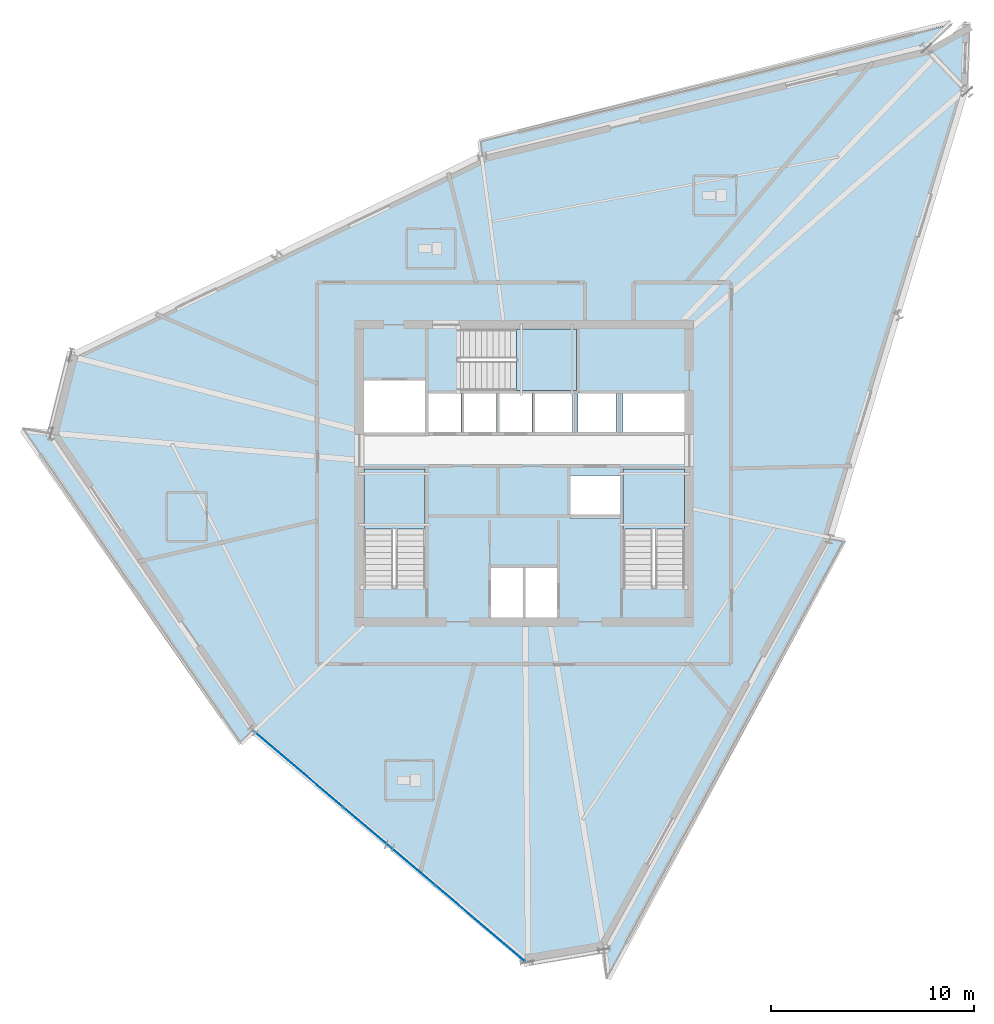
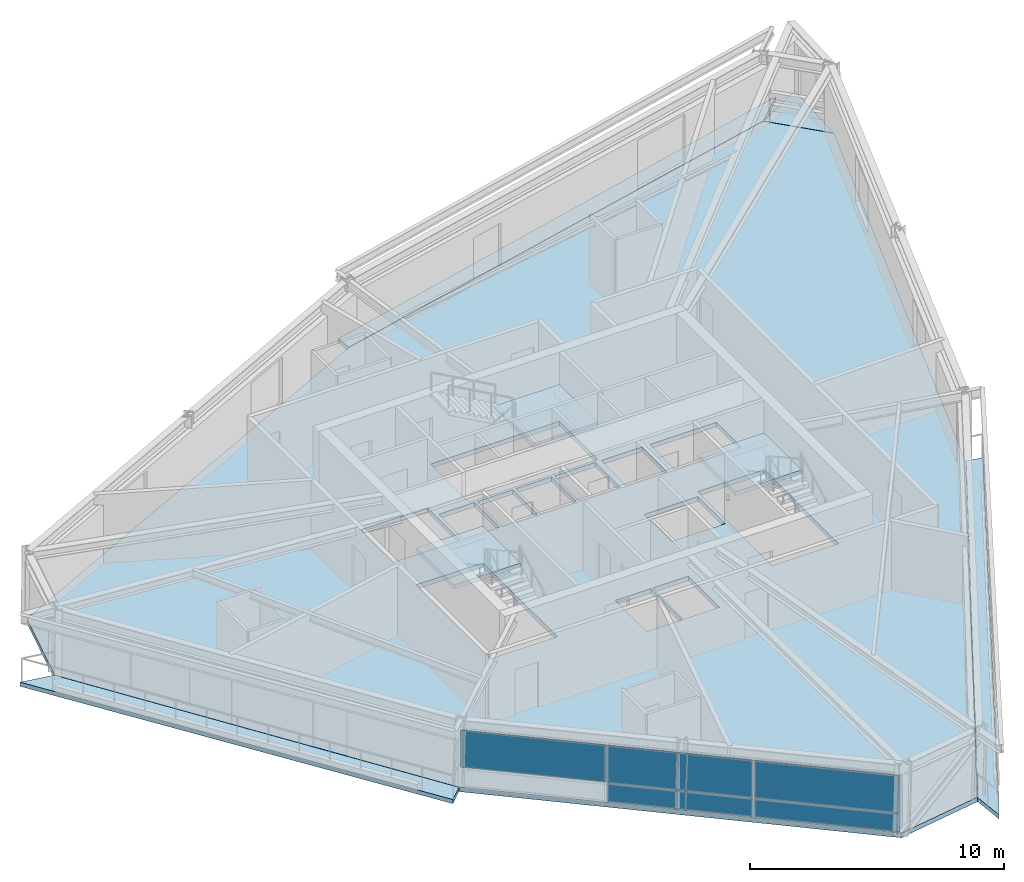
# One storey, part 5 of 15: 8 slabs, 5 plates, 4 elements without a shape of their own.
"""IFC4 building model written with IfcOpenShell, lengths in metres."""

from ifc_helpers import new_model, si_unit, direction, frame, origin, origin_2d, place, context, subcontext, project, spatial, polyline, rectangle, outline, extrude, source, transform, mapped, material, layer, layer_set, type_object, element, aggregate, save


model = new_model("IFC4")

# Units and contexts
model_context = context("Model", 3, precision=1e-05, world=origin(), true_north=direction((0.0, 1.0)))
body_context = subcontext(model_context, "Body", "Model", "MODEL_VIEW")
ifc_project = project(units=[si_unit("LENGTHUNIT", "METRE"), si_unit("AREAUNIT", "SQUARE_METRE"), si_unit("VOLUMEUNIT", "CUBIC_METRE"), si_unit("PLANEANGLEUNIT", "RADIAN"), si_unit("MASSUNIT", "GRAM", prefix="KILO")], contexts=[model_context])

# Site, building, storey
site_placement = place(None, origin())
site = spatial("IfcSite", under=ifc_project, at=site_placement, CompositionType="ELEMENT")
building_placement = place(site_placement, origin())
building = spatial("IfcBuilding", under=site, at=building_placement, Name="Olszyna Solenne Hotel", CompositionType="ELEMENT")
storey_placement = place(building_placement, frame((0.0, 0.0, 213.14990234375)))
storey = spatial("IfcBuildingStorey", under=building, at=storey_placement, Name="L56", CompositionType="ELEMENT", Elevation=213.14990234375)

# Stair, slab
ifc_material_1 = material(Name="Concrete C40/50", Category="concrete")
stair_type = type_object("IfcStairType", Name="STR-C1", PredefinedType="TWO_QUARTER_WINDING_STAIR", material=ifc_material_1)
stair_1_placement = place(storey_placement, origin())
stair_1 = element("IfcStair", 1, at=stair_1_placement, inside=storey, type_object=stair_type, Name="L56 ST1", PredefinedType="TWO_QUARTER_WINDING_STAIR")
ifc_layer_1 = layer(ifc_material_1, 0.18994140625, Name="Concrete C40/50")
ifc_layer_set_1 = layer_set([ifc_layer_1], Name="Concrete C40/50")
slab_type_1 = type_object("IfcSlabType", Name="SL-LN190", PredefinedType="LANDING", material=ifc_layer_set_1)
slab_1_placement = place(storey_placement, frame((0.0, 0.0, 1.5751953125)))
slab_1 = element("IfcSlab", 2, at=slab_1_placement, type_object=slab_type_1, Name="ST1 landing 1", PredefinedType="LANDING", context=body_context, shape_type="SweptSolid", body=[
    extrude(outline(polyline([(33.1201171875, 23.85009765625), (33.1201171875, 26.800048828125), (30.10009765625, 26.800048828125), (30.10009765625, 23.85009765625), (33.1201171875, 23.85009765625)])), origin(), (0.0, 0.0, 1.0), 0.199951171875),
])
aggregate(stair_1, [slab_1])

stair_2_placement = place(storey_placement, origin())
stair_2 = element("IfcStair", 3, at=stair_2_placement, inside=storey, type_object=stair_type, Name="L56 ST2", PredefinedType="TWO_QUARTER_WINDING_STAIR")
slab_2_placement = place(storey_placement, frame((0.0, 0.0, 1.5751953125)))
slab_2 = element("IfcSlab", 4, at=slab_2_placement, type_object=slab_type_1, Name="ST2 landing 1", PredefinedType="LANDING", context=body_context, shape_type="SweptSolid", body=[
    extrude(outline(polyline([(45.89990234375, 23.85009765625), (45.89990234375, 26.800048828125), (42.8798828125, 26.800048828125), (42.8798828125, 23.85009765625), (45.89990234375, 23.85009765625)])), origin(), (0.0, 0.0, 1.0), 0.199951171875),
])
aggregate(stair_2, [slab_2])

stair_3_placement = place(storey_placement, origin())
stair_3 = element("IfcStair", 5, at=stair_3_placement, inside=storey, type_object=stair_type, Name="L56 ST3", PredefinedType="TWO_QUARTER_WINDING_STAIR")
slab_3_placement = place(storey_placement, frame((0.0, 0.0, 1.5751953125)))
slab_3 = element("IfcSlab", 6, at=slab_3_placement, type_object=slab_type_1, Name="ST3 landing 1", PredefinedType="LANDING", context=body_context, shape_type="SweptSolid", body=[
    extrude(outline(polyline([(37.6298828125, 30.679931640625), (40.580078125, 30.679931640625), (40.580078125, 33.699951171875), (37.6298828125, 33.699951171875), (37.6298828125, 30.679931640625)])), origin(), (0.0, 0.0, 1.0), 0.199951171875),
])
aggregate(stair_3, [slab_3])

# Slabs
ifc_material_2 = material(Name="Precast concrete C45/55", Category="concrete")
ifc_layer_2 = layer(ifc_material_2, 0.199951171875, Name="Precast concrete C45/55")
ifc_layer_set_2 = layer_set([ifc_layer_2], Name="Precast concrete C45/55")
slab_type_2 = type_object("IfcSlabType", Name="SL-LOG200", PredefinedType="FLOOR", material=ifc_layer_set_2)
slab_4_placement = place(storey_placement, frame((0.0, 0.0, -0.199951171875)))
element("IfcSlab", 7, at=slab_4_placement, inside=storey, type_object=slab_type_2, Name="Exterior loggia balcony slab SL-L56-LG1", PredefinedType="FLOOR", context=body_context, shape_type="SweptSolid", body=[
    extrude(outline(polyline([(35.94189453125, 42.25), (57.819091796875, 47.53662109375), (57.868408203125, 47.564453125), (59.11376953125, 48.751220703125), (35.87353515625, 42.97802734375), (35.94189453125, 42.25)])), origin(), (0.0, 0.0, 1.0), 0.199951171875),
])
slab_5_placement = place(storey_placement, frame((0.0, 0.0, -0.199951171875)))
element("IfcSlab", 8, at=slab_5_placement, inside=storey, type_object=slab_type_2, Name="Exterior loggia balcony slab SL-L56-LG2", PredefinedType="FLOOR", context=body_context, shape_type="SweptSolid", body=[
    extrude(outline(polyline([(24.603759765625, 13.92919921875), (24.60302734375, 13.93017578125), (24.602294921875, 13.93115234375), (14.661865234375, 28.5498046875), (14.6611328125, 28.55078125), (14.660400390625, 28.552001953125), (14.659912109375, 28.553466796875), (14.65966796875, 28.5546875), (14.6591796875, 28.55615234375), (14.6591796875, 28.5576171875), (14.6591796875, 28.55908203125), (14.659423828125, 28.560302734375), (14.659423828125, 28.560791015625), (13.245361328125, 28.816162109375), (23.969970703125, 13.3251953125), (24.603759765625, 13.92919921875)])), origin(), (0.0, 0.0, 1.0), 0.199951171875),
])
slab_6_placement = place(storey_placement, frame((0.0, 0.0, -0.199951171875)))
element("IfcSlab", 9, at=slab_6_placement, inside=storey, type_object=slab_type_2, Name="Exterior loggia balcony slab SL-L56-LG3", PredefinedType="FLOOR", context=body_context, shape_type="SweptSolid", body=[
    extrude(outline(polyline([(53.078125, 23.34521484375), (53.07763671875, 23.343505859375), (53.0771484375, 23.342041015625), (53.076416015625, 23.3408203125), (41.9365234375, 3.13623046875), (41.935791015625, 3.135009765625), (41.934814453125, 3.1337890625), (41.933837890625, 3.132568359375), (41.9326171875, 3.131591796875), (41.931396484375, 3.130615234375), (41.93017578125, 3.1298828125), (41.9287109375, 3.12939453125), (41.92724609375, 3.12890625), (41.92578125, 3.128662109375), (41.9248046875, 3.12841796875), (42.06298828125, 1.65673828125), (53.777587890625, 23.218994140625), (53.078125, 23.34521484375)])), origin(), (0.0, 0.0, 1.0), 0.199951171875),
])
ifc_material_3 = material(Name="Concrete C50/60", Category="concrete")
ifc_layer_3 = layer(ifc_material_3, 0.219970703125, Name="Concrete C50/60")
ifc_layer_set_3 = layer_set([ifc_layer_3], Name="Concrete C50/60")
slab_type_3 = type_object("IfcSlabType", Name="SL-TW225", PredefinedType="FLOOR", material=ifc_layer_set_3)
slab_7_placement = place(storey_placement, frame((0.0, 0.0, -0.219970703125)))
element("IfcSlab", 10, at=slab_7_placement, inside=storey, type_object=slab_type_3, Name="Floor slab SL-TW225 SL-L56-01", PredefinedType="FLOOR", context=body_context, shape_type="SweptSolid", body=[
    extrude(outline(polyline([(59.82080078125, 45.408203125), (57.824462890625, 47.522705078125), (35.943115234375, 42.23486328125), (15.66259765625, 32.465087890625), (14.67431640625, 28.55810546875), (24.61474609375, 13.939697265625), (38.094482421875, 2.502685546875), (41.92333984375, 3.143310546875), (53.063232421875, 23.347900390625), (59.82080078125, 45.408203125)]), holes=[polyline([(30.10009765625, 20.949951171875), (33.1201171875, 20.949951171875), (33.1201171875, 26.800048828125), (30.10009765625, 26.800048828125), (30.10009765625, 20.949951171875)]), polyline([(42.8798828125, 20.949951171875), (45.89990234375, 20.949951171875), (45.89990234375, 26.800048828125), (42.8798828125, 26.800048828125), (42.8798828125, 20.949951171875)]), polyline([(34.72998046875, 30.679931640625), (40.580078125, 30.679931640625), (40.580078125, 33.699951171875), (34.72998046875, 33.699951171875), (34.72998046875, 30.679931640625)]), polyline([(36.340087890625, 19.5), (37.9599609375, 19.5), (37.9599609375, 21.9599609375), (36.340087890625, 21.9599609375), (36.340087890625, 19.5)]), polyline([(38.0400390625, 19.5), (39.659912109375, 19.5), (39.659912109375, 21.9599609375), (38.0400390625, 21.9599609375), (38.0400390625, 19.5)]), polyline([(30.10009765625, 28.60009765625), (33.1201171875, 28.60009765625), (33.1201171875, 31.159912109375), (30.10009765625, 31.159912109375), (30.10009765625, 28.60009765625)]), polyline([(40.280029296875, 24.360107421875), (42.719970703125, 24.360107421875), (42.719970703125, 26.5), (40.280029296875, 26.5), (40.280029296875, 24.360107421875)]), polyline([(33.280029296875, 28.60009765625), (34.89990234375, 28.60009765625), (34.89990234375, 30.550048828125), (33.280029296875, 30.550048828125), (33.280029296875, 28.60009765625)]), polyline([(35.030029296875, 28.60009765625), (36.64990234375, 28.60009765625), (36.64990234375, 30.550048828125), (35.030029296875, 30.550048828125), (35.030029296875, 28.60009765625)]), polyline([(36.780029296875, 28.60009765625), (38.39990234375, 28.60009765625), (38.39990234375, 30.550048828125), (36.780029296875, 30.550048828125), (36.780029296875, 28.60009765625)]), polyline([(38.530029296875, 28.60009765625), (40.389892578125, 28.60009765625), (40.389892578125, 30.550048828125), (38.530029296875, 30.550048828125), (38.530029296875, 28.60009765625)]), polyline([(40.659912109375, 28.60009765625), (42.52001953125, 28.60009765625), (42.52001953125, 30.550048828125), (40.659912109375, 30.550048828125), (40.659912109375, 28.60009765625)]), polyline([(42.8798828125, 28.60009765625), (45.89990234375, 28.60009765625), (45.89990234375, 30.550048828125), (42.8798828125, 30.550048828125), (42.8798828125, 28.60009765625)])]), origin(), (0.0, 0.0, 1.0), 0.219970703125),
])
slab_8_placement = place(storey_placement, frame((0.0, 0.0, -0.219970703125)))
element("IfcSlab", 11, at=slab_8_placement, inside=storey, type_object=slab_type_3, Name="Faceted glass-prism floor slab SL-L56-PR", PredefinedType="FLOOR", context=body_context, shape_type="SweptSolid", body=[
    extrude(outline(polyline([(57.83349609375, 47.527587890625), (59.8212890625, 45.422119140625), (59.93701171875, 48.70849609375), (57.83349609375, 47.527587890625)])), origin(), (0.0, 0.0, 1.0), 0.219970703125),
])

# Curtain wall, plates
ifc_material_4 = material(Name="Anodised bronze aluminium", Category="aluminium")
curtain_wall_type = type_object("IfcCurtainWallType", Name="CW-SYS-4", PredefinedType="NOTDEFINED", material=ifc_material_4)
curtain_wall_placement = place(storey_placement, origin())
curtain_wall = element("IfcCurtainWall", 12, at=curtain_wall_placement, inside=storey, type_object=curtain_wall_type, Name="Unitised curtain wall CW-SYS-4 CW-L56-01", PredefinedType="NOTDEFINED")
ifc_material_5 = material(Name="Terracotta cladding", Category="masonry")
plate_type_1 = type_object("IfcPlateType", Name="PN-SP1", PredefinedType="CURTAIN_PANEL", material=ifc_material_5)
shared_shape_1 = source(origin(), body_context, "Body", "SweptSolid", [
    extrude(rectangle(XDim=5.795166015625, YDim=0.035888671875, at=origin_2d()), origin(), (0.0, 0.0, 1.0), 0.8525390625),
])
plate_1_placement = place(storey_placement, frame((35.83544921875, 4.419189453125, 0.065185546875), z_axis=(0.0, 0.0, 1.0), x_axis=(0.762522834603, -0.646961302327, 0.0)))
plate_1 = element("IfcPlate", 13, at=plate_1_placement, type_object=plate_type_1, Name="Curtain-wall panel PN-SP1 CP-L56-01-05", PredefinedType="CURTAIN_PANEL", context=body_context, shape_type="MappedRepresentation", body=[
    mapped(shared_shape_1, transform((0.0, 0.0, 0.0), x_axis=(1.0, 0.0, 0.0), y_axis=(0.0, 1.0, 0.0), z_axis=(0.0, 0.0, 1.0), scale=1.0)),
])
ifc_material_6 = material(Name="Low-E triple glazing", Category="glass")
plate_type_2 = type_object("IfcPlateType", Name="PN-GL1", PredefinedType="CURTAIN_PANEL", material=ifc_material_6)
shared_shape_2 = source(origin(), body_context, "Body", "SweptSolid", [
    extrude(rectangle(XDim=5.795166015625, YDim=0.035888671875, at=origin_2d()), origin(), (0.0, 0.0, 1.0), 1.7744140625),
])
plate_2_placement = place(storey_placement, frame((26.873779296875, 12.02294921875, 0.982666015625), z_axis=(0.0, 0.0, 1.0), x_axis=(0.762522834603, -0.646961302327, 0.0)))
plate_2 = element("IfcPlate", 14, at=plate_2_placement, type_object=plate_type_2, Name="Curtain-wall panel PN-GL1 CP-L56-01-02", PredefinedType="CURTAIN_PANEL", context=body_context, shape_type="MappedRepresentation", body=[
    mapped(shared_shape_2, transform((0.0, 0.0, 0.0), x_axis=(1.0, 0.0, 0.0), y_axis=(0.0, 1.0, 0.0), z_axis=(0.0, 0.0, 1.0), scale=1.0)),
])
plate_3_placement = place(storey_placement, frame((35.83544921875, 4.419189453125, 0.982666015625), z_axis=(0.0, 0.0, 1.0), x_axis=(0.762522834603, -0.646961302327, 0.0)))
plate_3 = element("IfcPlate", 15, at=plate_3_placement, type_object=plate_type_2, Name="Curtain-wall panel PN-GL1 CP-L56-01-06", PredefinedType="CURTAIN_PANEL", context=body_context, shape_type="MappedRepresentation", body=[
    mapped(shared_shape_2, transform((0.0, 0.0, 0.0), x_axis=(1.0, 0.0, 0.0), y_axis=(0.0, 1.0, 0.0), z_axis=(0.0, 0.0, 1.0), scale=1.0)),
])
shared_shape_3 = source(origin(), body_context, "Body", "SweptSolid", [
    extrude(rectangle(XDim=5.82763671875, YDim=0.035888671875, at=origin_2d()), origin(), (0.0, 0.0, 1.0), 0.8525390625),
])
plate_4_placement = place(storey_placement, frame((31.354736328125, 8.22119140625, 0.065185546875), z_axis=(0.0, 0.0, 1.0), x_axis=(0.762522834603, -0.646961302327, 0.0)))
plate_4 = element("IfcPlate", 16, at=plate_4_placement, type_object=plate_type_1, Name="Curtain-wall panel PN-SP1 CP-L56-01-03", PredefinedType="CURTAIN_PANEL", context=body_context, shape_type="MappedRepresentation", body=[
    mapped(shared_shape_3, transform((0.0, 0.0, 0.0), x_axis=(1.0, 0.0, 0.0), y_axis=(0.0, 1.0, 0.0), z_axis=(0.0, 0.0, 1.0), scale=1.0)),
])
shared_shape_4 = source(origin(), body_context, "Body", "SweptSolid", [
    extrude(rectangle(XDim=5.82763671875, YDim=0.035888671875, at=origin_2d()), origin(), (0.0, 0.0, 1.0), 1.7744140625),
])
plate_5_placement = place(storey_placement, frame((31.354736328125, 8.22119140625, 0.982666015625), z_axis=(0.0, 0.0, 1.0), x_axis=(0.762522834603, -0.646961302327, 0.0)))
plate_5 = element("IfcPlate", 17, at=plate_5_placement, type_object=plate_type_2, Name="Curtain-wall panel PN-GL1 CP-L56-01-04", PredefinedType="CURTAIN_PANEL", context=body_context, shape_type="MappedRepresentation", body=[
    mapped(shared_shape_4, transform((0.0, 0.0, 0.0), x_axis=(1.0, 0.0, 0.0), y_axis=(0.0, 1.0, 0.0), z_axis=(0.0, 0.0, 1.0), scale=1.0)),
])
aggregate(curtain_wall, [plate_2, plate_4, plate_5, plate_1, plate_3])

save(model, "model.ifc")
